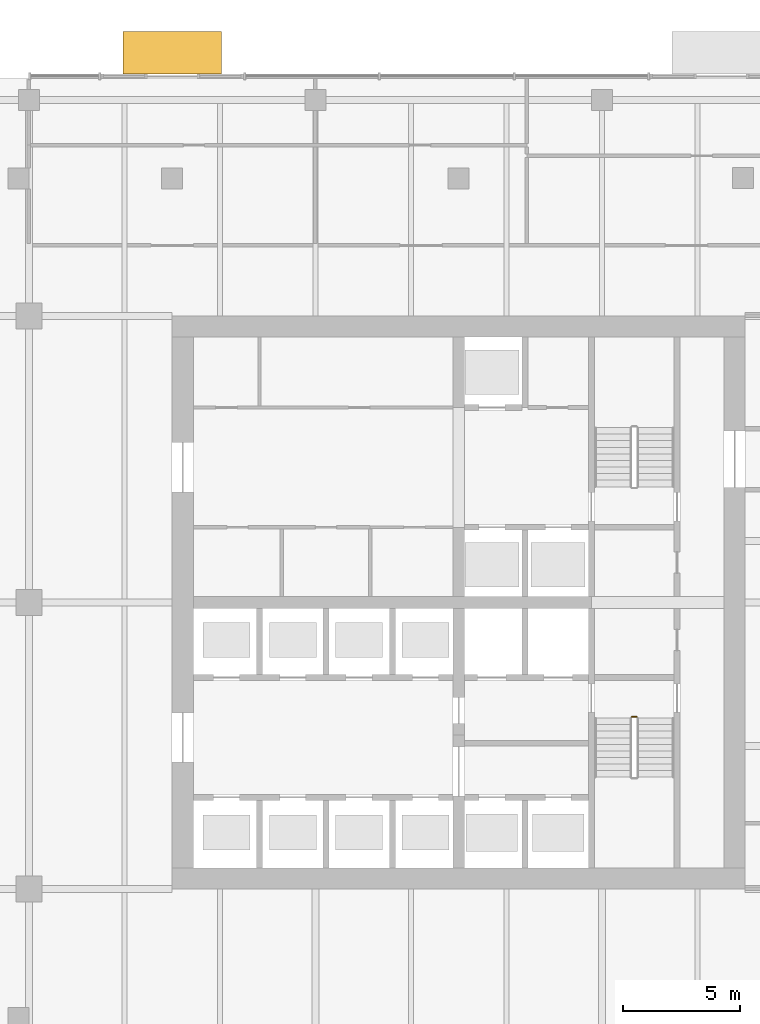
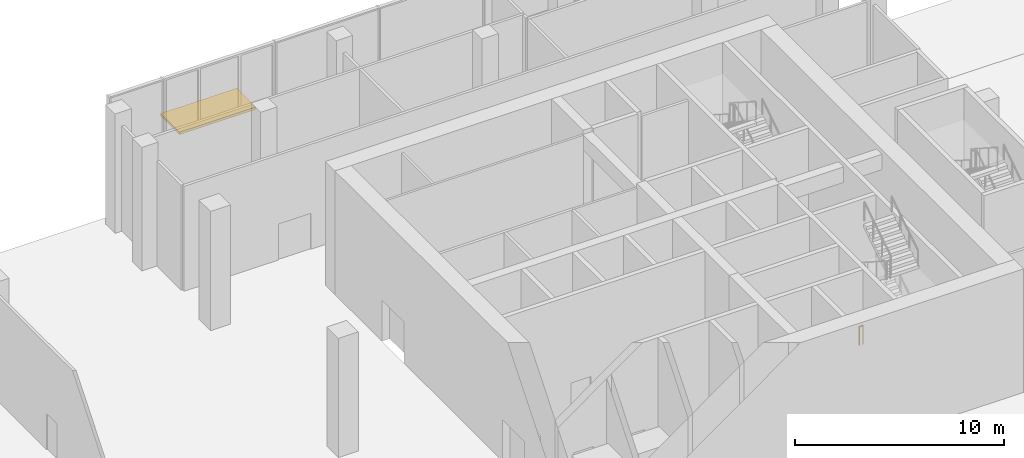
# One storey, part 30 of 36: 1 railing, 1 shading device.
"""IFC4 building model written with IfcOpenShell, lengths in metres."""

from ifc_helpers import new_model, si_unit, direction, frame, origin, origin_2d, place, context, subcontext, project, spatial, rectangle, circle, extrude, material, layer, layer_set, type_object, element, save


model = new_model("IFC4")

# Units and contexts
model_context = context("Model", 3, precision=1e-05, world=origin(), true_north=direction((0.0, 1.0)))
body_context = subcontext(model_context, "Body", "Model", "MODEL_VIEW")
ifc_project = project(units=[si_unit("LENGTHUNIT", "METRE"), si_unit("AREAUNIT", "SQUARE_METRE"), si_unit("VOLUMEUNIT", "CUBIC_METRE"), si_unit("PLANEANGLEUNIT", "RADIAN"), si_unit("MASSUNIT", "GRAM", prefix="KILO")], contexts=[model_context])

# Site, building, storey
site_placement = place(None, origin())
site = spatial("IfcSite", under=ifc_project, at=site_placement, CompositionType="ELEMENT")
building_placement = place(site_placement, origin())
building = spatial("IfcBuilding", under=site, at=building_placement, Name="Tessera Gate Towers", CompositionType="ELEMENT")
storey_placement = place(building_placement, origin())
storey = spatial("IfcBuildingStorey", under=building, at=storey_placement, Name="L00", CompositionType="ELEMENT", Elevation=0.0)

# Shading device
ifc_material_1 = material(Name="Powder-coated steel and laminated glass", Category="steel")
ifc_layer = layer(ifc_material_1, 0.14990234375)
ifc_layer_set = layer_set([ifc_layer], Name="AW1 entrance canopy")
shading_device_type = type_object("IfcShadingDeviceType", Name="AW1 entrance canopy", PredefinedType="AWNING", material=ifc_layer_set)
shading_device_placement = place(storey_placement, frame((30.5, 60.0, 3.25), z_axis=(0.0, 0.0, 1.0), x_axis=(-1.0, 0.0, 0.0)))
element("IfcShadingDevice", 1, at=shading_device_placement, inside=storey, type_object=shading_device_type, Name="Entrance canopy PD AW1-0006", PredefinedType="AWNING", context=body_context, shape_type="SweptSolid", body=[
    extrude(rectangle(XDim=4.199951171875, YDim=1.800048828125, at=origin_2d()), origin(), (0.0, 0.0, 1.0), 0.14990234375),
])

# Railing
ifc_material_2 = material(Name="Steel 350W", Category="steel")
railing_type = type_object("IfcRailingType", Name="STAIR GUARD 1100", PredefinedType="GUARDRAIL", material=ifc_material_2)
railing_placement = place(storey_placement, frame((50.074951171875, 31.72509765625, 0.0)))
element("IfcRailing", 2, at=railing_placement, inside=storey, type_object=railing_type, Name="L00 ST1 stair guard 8", PredefinedType="GUARDRAIL", context=body_context, shape_type="SweptSolid", body=[
    extrude(circle(Radius=0.02392578125, at=origin_2d()), frame((0.0, 0.0, 1.076171875), z_axis=(1.0, 0.0, 0.0), x_axis=(0.0, 1.0, 0.0)), (0.0, 0.0, 1.0), 0.199951171875),
    extrude(circle(Radius=0.02099609375, at=origin_2d()), origin(), (0.0, 0.0, 1.0), 1.052001953125),
    extrude(circle(Radius=0.02099609375, at=origin_2d()), frame((0.199951171875, 0.0, 0.0)), (0.0, 0.0, 1.0), 1.052001953125),
])

save(model, "model.ifc")
